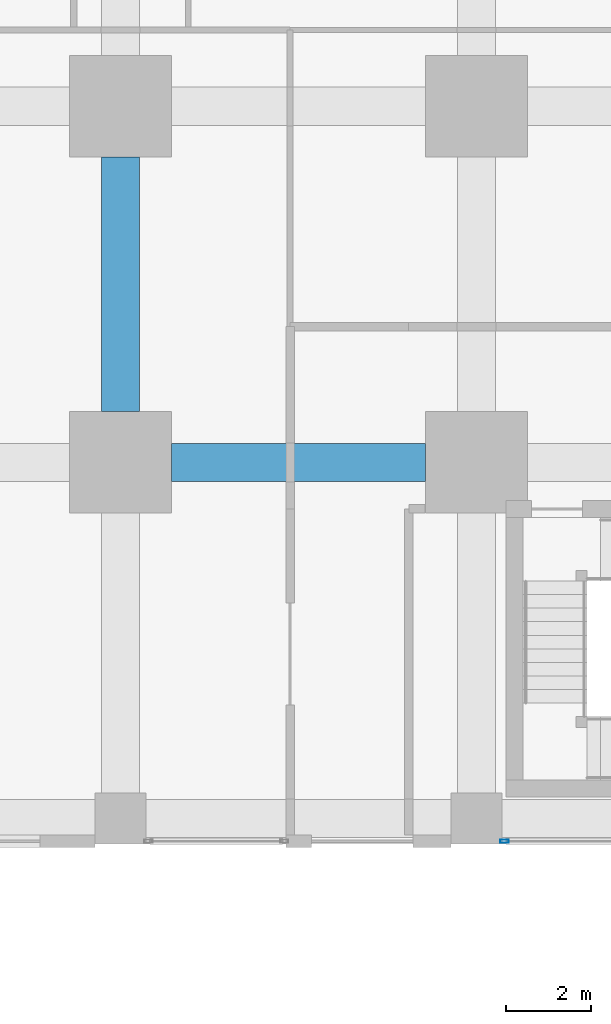
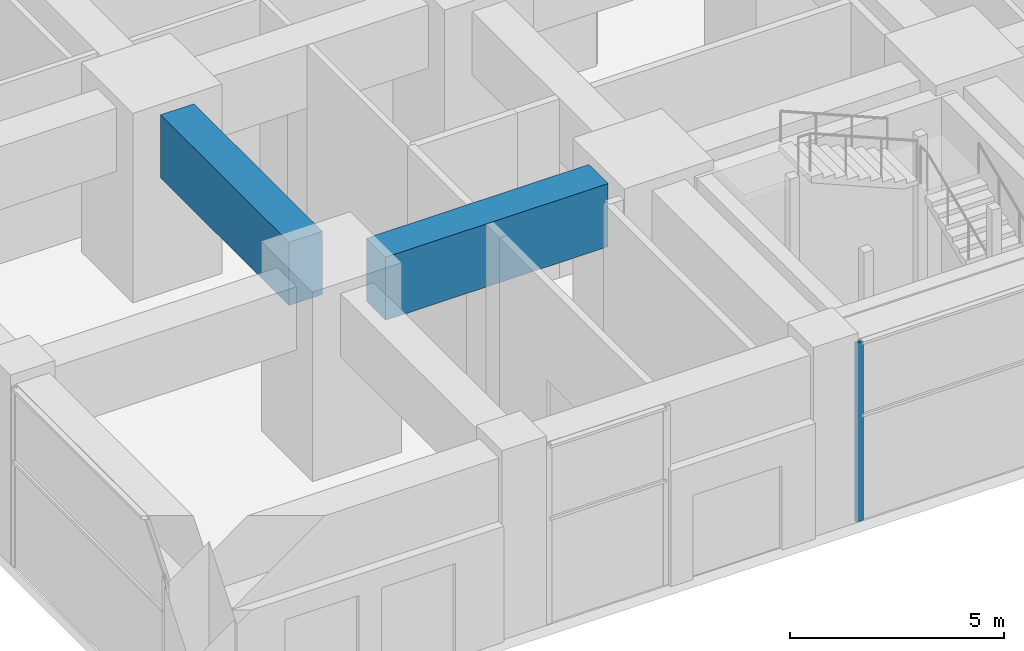
# One storey, part 6 of 81: 2 beams, 1 member, 1 element without a shape of its own.
"""IFC4 building model written with IfcOpenShell, lengths in metres."""

from ifc_helpers import new_model, si_unit, direction, frame, origin, origin_2d, place, context, subcontext, project, spatial, rectangle, hollow_rectangle, extrude, material, material_profile, profile_set, type_object, element, aggregate, save


model = new_model("IFC4")

# Units and contexts
model_context = context("Model", 3, precision=1e-05, world=origin(), true_north=direction((0.0, 1.0)))
body_context = subcontext(model_context, "Body", "Model", "MODEL_VIEW")
ifc_project = project(units=[si_unit("LENGTHUNIT", "METRE"), si_unit("AREAUNIT", "SQUARE_METRE"), si_unit("VOLUMEUNIT", "CUBIC_METRE"), si_unit("PLANEANGLEUNIT", "RADIAN"), si_unit("MASSUNIT", "GRAM", prefix="KILO")], contexts=[model_context])

# Site, building, storey
site_placement = place(None, origin())
site = spatial("IfcSite", under=ifc_project, at=site_placement, CompositionType="ELEMENT")
building_placement = place(site_placement, origin())
building = spatial("IfcBuilding", under=site, at=building_placement, Name="Rekha Terrace Tower", CompositionType="ELEMENT")
storey_placement = place(building_placement, origin())
storey = spatial("IfcBuildingStorey", under=building, at=storey_placement, Name="L00", CompositionType="ELEMENT", Elevation=0.0)

# Curtain wall, member
ifc_material_1 = material(Name="Aluminium framing", Category="aluminium")
curtain_wall_type = type_object("IfcCurtainWallType", Name="CW4 podium shopfront glazing", PredefinedType="USERDEFINED", material=ifc_material_1)
curtain_wall_placement = place(storey_placement, origin())
curtain_wall = element("IfcCurtainWall", 1, at=curtain_wall_placement, inside=storey, type_object=curtain_wall_type, Name="CW4 shopfront curtain wall", ObjectType="SHOPFRONT CURTAIN WALL", PredefinedType="USERDEFINED")
ifc_material_2 = material(Name="Aluminium mullion section", Category="aluminium")
ifc_material_profile_1 = material_profile(ifc_material_2, hollow_rectangle(XDim=0.074951171875, YDim=0.199951171875, WallThickness=0.00390625, at=origin_2d()), Name="AL RHS 75x200")
ifc_profile_set_1 = profile_set([ifc_material_profile_1], Name="Aluminium mullion section")
member_type = type_object("IfcMemberType", Name="CW4 mullion RHS 75 x 200", PredefinedType="MULLION", material=ifc_profile_set_1)
member_placement = place(storey_placement, frame((17.45751953125, -0.5400390625, 0.0), z_axis=(0.0, 0.0, 1.0), x_axis=(0.0, 1.0, 0.0)))
member = element("IfcMember", 2, at=member_placement, type_object=member_type, Name="CW4 mullion 1", PredefinedType="MULLION", context=body_context, shape_type="SweptSolid", body=[
    extrude(hollow_rectangle(XDim=0.074951171875, YDim=0.199951171875, WallThickness=0.00390625, at=origin_2d()), origin(), (0.0, 0.0, 1.0), 5.10009765625),
])
aggregate(curtain_wall, [member])

# Beams
ifc_material_3 = material(Name="Concrete M60", Category="concrete")
ifc_material_profile_2 = material_profile(ifc_material_3, rectangle(XDim=0.89990234375, YDim=1.800048828125, at=origin_2d()), Name="RC 900x1800")
ifc_profile_set_2 = profile_set([ifc_material_profile_2], Name="Concrete M60")
beam_type = type_object("IfcBeamType", Name="G1 900x1800 podium floor beam", PredefinedType="BEAM", material=ifc_profile_set_2)
for number, where, z_axis, x_axis, name in (
    (3, (9.60009765625, 8.39990234375, 4.199951171875), (1.0, 0.0, 0.0), (0.0, 1.0, 0.0), "Beam G1 2B-3B under L01"),
    (4, (8.39990234375, 9.60009765625, 4.199951171875), (0.0, 1.0, 0.0), (-1.0, 0.0, 0.0), "Beam G1 2B-2C under L01"),
):
    element("IfcBeam", number, at=place(storey_placement, frame(where, z_axis=z_axis, x_axis=x_axis)), inside=storey, type_object=beam_type, Name=name, PredefinedType="BEAM", context=body_context, shape_type="SweptSolid", body=[
        extrude(rectangle(XDim=0.89990234375, YDim=1.800048828125, at=origin_2d()), origin(), (0.0, 0.0, 1.0), 6.0),
    ])

save(model, "model.ifc")
